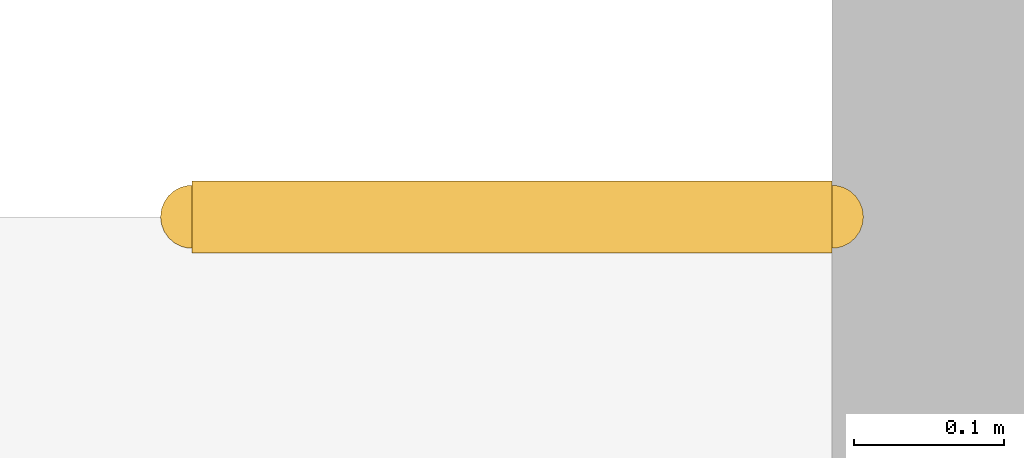
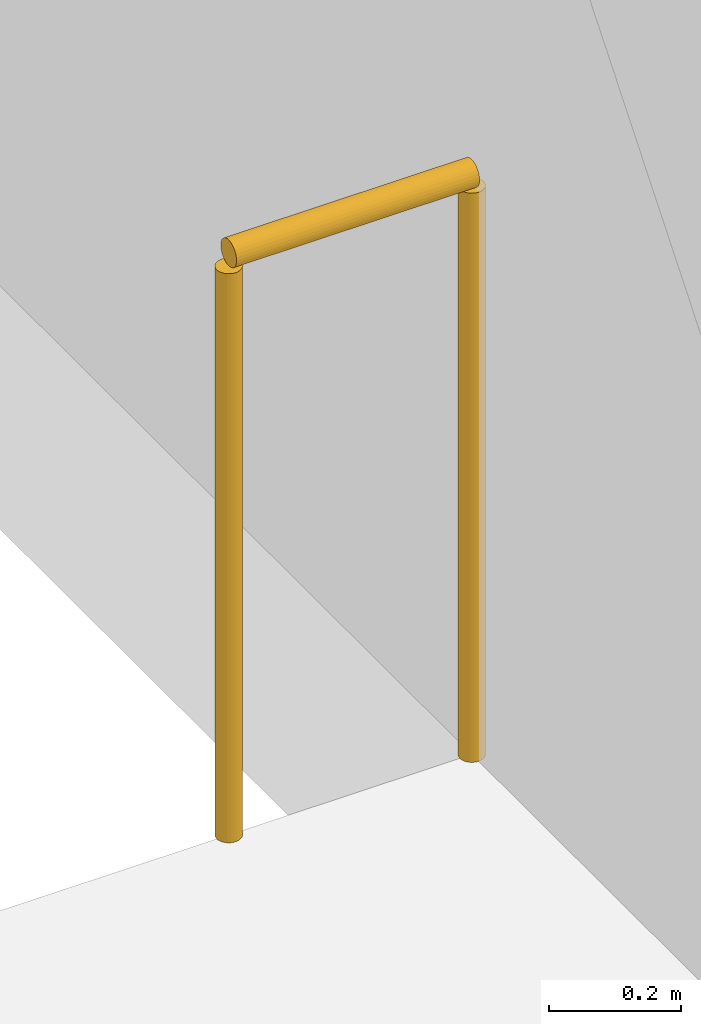
# One storey, part 43 of 45: 1 railing.
"""IFC4 building model written with IfcOpenShell, lengths in metres."""

from ifc_helpers import new_model, si_unit, direction, frame, origin, origin_2d, place, context, subcontext, project, spatial, circle, extrude, material, type_object, element, save


model = new_model("IFC4")

# Units and contexts
model_context = context("Model", 3, precision=1e-05, world=origin(), true_north=direction((0.0, 1.0)))
body_context = subcontext(model_context, "Body", "Model", "MODEL_VIEW")
ifc_project = project(units=[si_unit("LENGTHUNIT", "METRE"), si_unit("AREAUNIT", "SQUARE_METRE"), si_unit("VOLUMEUNIT", "CUBIC_METRE"), si_unit("PLANEANGLEUNIT", "RADIAN"), si_unit("MASSUNIT", "GRAM", prefix="KILO")], contexts=[model_context])

# Site, building, storey
site_placement = place(None, origin())
site = spatial("IfcSite", under=ifc_project, at=site_placement, CompositionType="ELEMENT")
building_placement = place(site_placement, origin())
building = spatial("IfcBuilding", under=site, at=building_placement, Name="Basin Gate Institute", CompositionType="ELEMENT")
storey_placement = place(building_placement, frame((0.0, 0.0, 22.199951171875)))
storey = spatial("IfcBuildingStorey", under=building, at=storey_placement, Name="L04", CompositionType="ELEMENT", Elevation=22.199951171875)

# Railing
ifc_material = material(Name="Stainless steel tube and glass infill", Category="steel")
railing_type = type_object("IfcRailingType", Name="Block railing 1100", PredefinedType="GUARDRAIL", material=ifc_material)
railing_placement = place(storey_placement, frame((143.25, 101.2451171875, 0.0)))
element("IfcRailing", 1, at=railing_placement, inside=storey, type_object=railing_type, material=ifc_material, Name="Guard stairwell ST-C8 L04 east", PredefinedType="GUARDRAIL", context=body_context, shape_type="SweptSolid", body=[
    extrude(circle(Radius=0.02392578125, at=origin_2d()), frame((0.0, 0.0, 1.076171875), z_axis=(1.0, 0.0, 0.0), x_axis=(0.0, 1.0, 0.0)), (0.0, 0.0, 1.0), 0.425048828125),
    extrude(circle(Radius=0.02099609375, at=origin_2d()), origin(), (0.0, 0.0, 1.0), 1.052001953125),
    extrude(circle(Radius=0.02099609375, at=origin_2d()), frame((0.425048828125, 0.0, 0.0)), (0.0, 0.0, 1.0), 1.052001953125),
])

save(model, "model.ifc")
